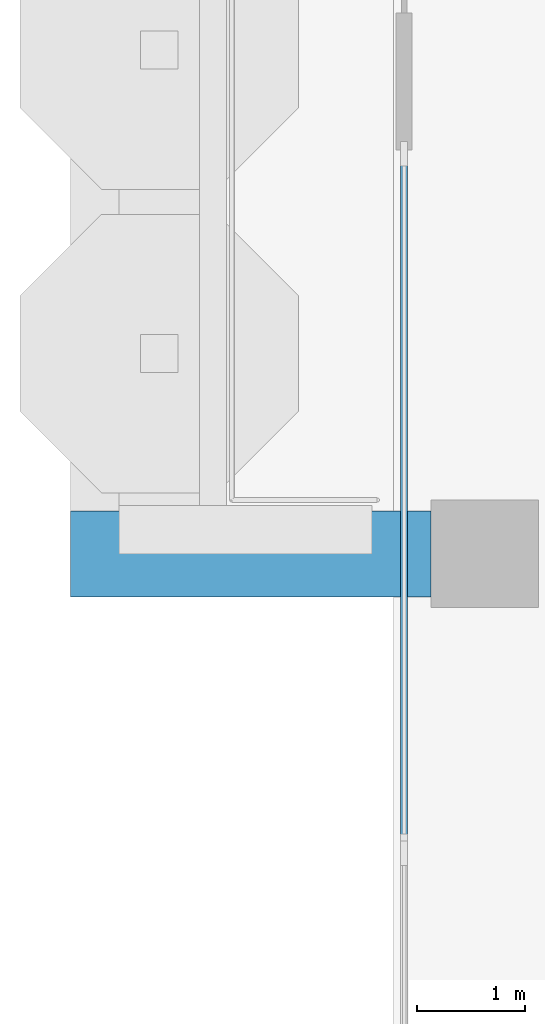
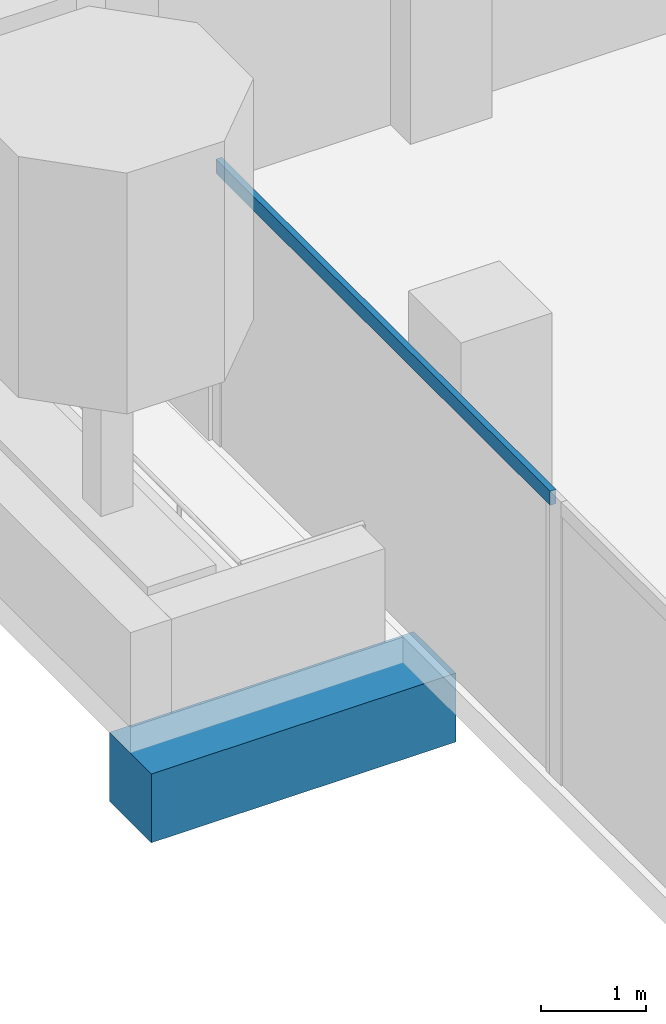
# One storey, part 3 of 17: 1 beam, 1 member, 1 element without a shape of its own.
"""IFC4 building model written with IfcOpenShell, lengths in metres."""

from ifc_helpers import new_model, si_unit, direction, frame, origin, origin_2d, place, context, subcontext, project, spatial, rectangle, extrude, material, material_profile, profile_set, type_object, element, aggregate, save


model = new_model("IFC4")

# Units and contexts
model_context = context("Model", 3, precision=1e-05, world=origin(), true_north=direction((0.0, 1.0)))
body_context = subcontext(model_context, "Body", "Model", "MODEL_VIEW")
ifc_project = project(units=[si_unit("LENGTHUNIT", "METRE"), si_unit("AREAUNIT", "SQUARE_METRE"), si_unit("VOLUMEUNIT", "CUBIC_METRE"), si_unit("PLANEANGLEUNIT", "RADIAN"), si_unit("MASSUNIT", "GRAM", prefix="KILO")], contexts=[model_context])

# Site, building, storey
site_placement = place(None, origin())
site = spatial("IfcSite", under=ifc_project, at=site_placement, CompositionType="ELEMENT")
building_placement = place(site_placement, origin())
building = spatial("IfcBuilding", under=site, at=building_placement, Name="Pilkhan Gate Tower", CompositionType="ELEMENT")
storey_placement = place(building_placement, frame((0.0, 0.0, 206.699951171875)))
storey = spatial("IfcBuildingStorey", under=building, at=storey_placement, Name="L53", CompositionType="ELEMENT", Elevation=206.699951171875)

# Beam
ifc_material_1 = material(Name="Concrete C50/60", Category="concrete")
ifc_material_profile_1 = material_profile(ifc_material_1, rectangle(XDim=0.800048828125, YDim=0.800048828125, at=origin_2d()), Name="RC 800x800")
ifc_profile_set_1 = profile_set([ifc_material_profile_1], Name="Concrete C50/60")
beam_type = type_object("IfcBeamType", Name="Cantilever beam CB2 RC 800x800 C50/60", PredefinedType="BEAM", material=ifc_profile_set_1)
beam_placement = place(storey_placement, frame((48.25, 67.5, -0.699951171875), z_axis=(-1.0, 0.0, 0.0), x_axis=(0.0, -1.0, 0.0)))
element("IfcBeam", 1, at=beam_placement, inside=storey, type_object=beam_type, Name="Balcony beam W.1 L53", PredefinedType="BEAM", context=body_context, shape_type="SweptSolid", body=[
    extrude(rectangle(XDim=0.800048828125, YDim=0.800048828125, at=origin_2d()), origin(), (0.0, 0.0, 1.0), 3.35009765625),
])

# Curtain wall, member
ifc_material_2 = material(Name="Pale anodised aluminium, clear low-iron double glazing", Category="aluminium")
curtain_wall_type = type_object("IfcCurtainWallType", Name="Office unitised curtain wall CW-O2", PredefinedType="USERDEFINED", material=ifc_material_2)
curtain_wall_placement = place(storey_placement, origin())
curtain_wall = element("IfcCurtainWall", 2, at=curtain_wall_placement, inside=storey, type_object=curtain_wall_type, Name="Office unitised curtain wall CW-O2 L53 W", ObjectType="UNITISED CURTAIN WALL", PredefinedType="USERDEFINED")
ifc_material_3 = material(Name="Pale anodised aluminium", Category="aluminium")
ifc_material_profile_2 = material_profile(ifc_material_3, rectangle(XDim=0.06494140625, YDim=0.1650390625, at=origin_2d()), Name="Transom 165x65")
ifc_profile_set_2 = profile_set([ifc_material_profile_2], Name="Pale anodised aluminium")
member_type = type_object("IfcMemberType", Name="Transom CW-O2 165x65", PredefinedType="USERDEFINED", material=ifc_profile_set_2)
member_placement = place(storey_placement, frame((48.0, 64.81494140625, 3.217529296875), z_axis=(0.0, 1.0, 0.0), x_axis=(-1.0, 0.0, 0.0)))
member = element("IfcMember", 3, at=member_placement, type_object=member_type, Name="CW-O2 transom 1", ObjectType="TRANSOM", PredefinedType="USERDEFINED", context=body_context, shape_type="SweptSolid", body=[
    extrude(rectangle(XDim=0.06494140625, YDim=0.1650390625, at=origin_2d()), origin(), (0.0, 0.0, 1.0), 6.3701171875),
])
aggregate(curtain_wall, [member])

save(model, "model.ifc")
